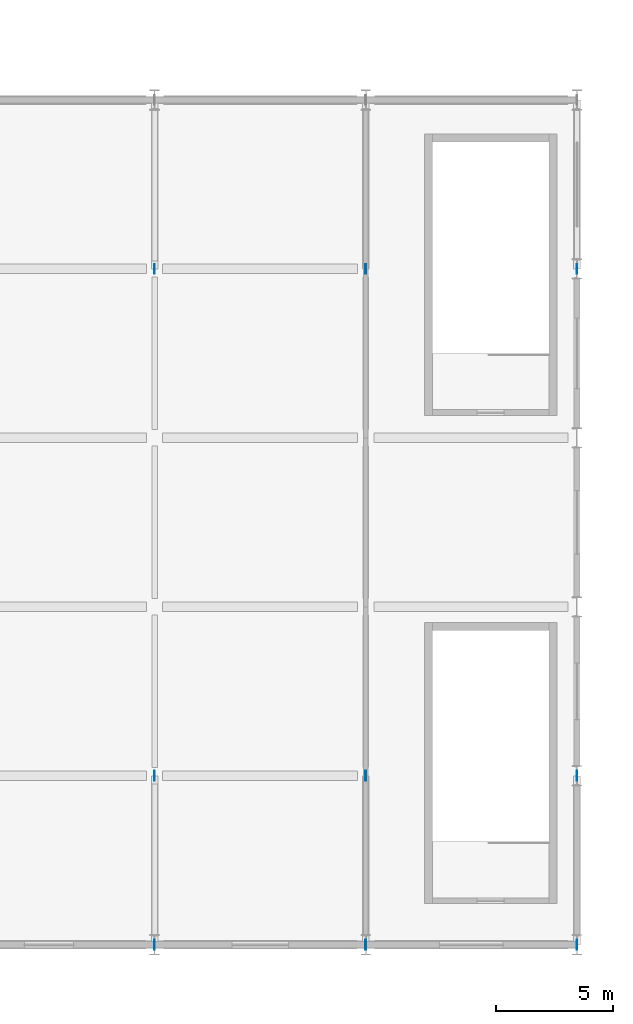
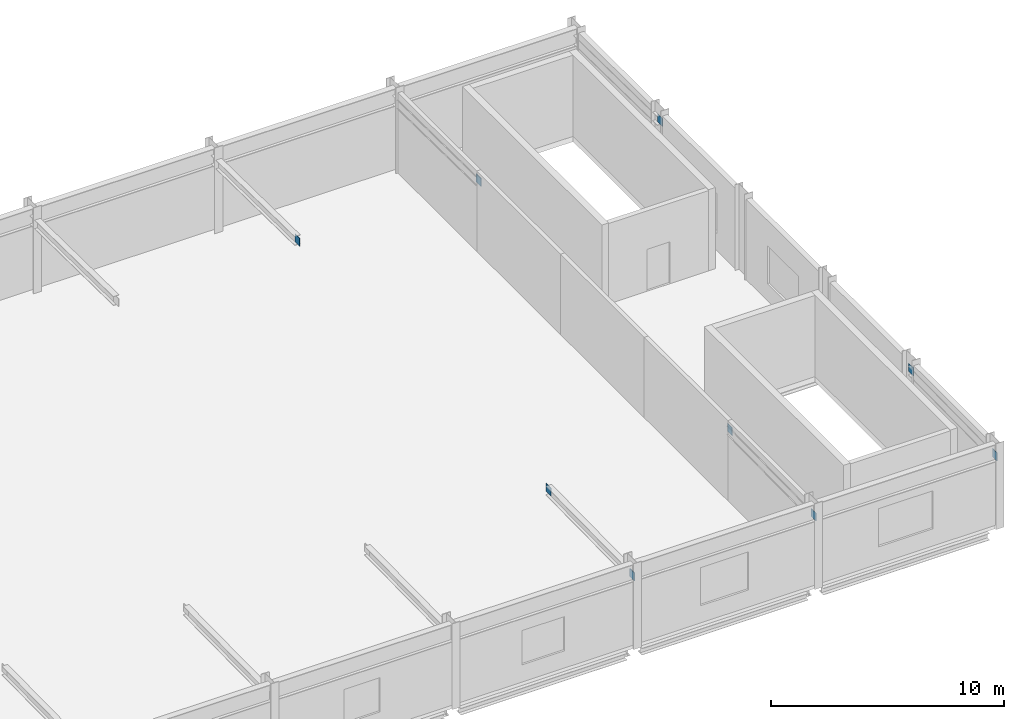
# One storey, part 103 of 151: 9 plates.
"""IFC4 building model written with IfcOpenShell, lengths in metres."""

from ifc_helpers import new_model, si_unit, direction, frame, origin, origin_2d, place, context, subcontext, project, spatial, rectangle, extrude, material, layer, layer_set, type_object, element, save


model = new_model("IFC4")

# Units and contexts
model_context = context("Model", 3, precision=1e-05, world=origin(), true_north=direction((0.0, 1.0)))
body_context = subcontext(model_context, "Body", "Model", "MODEL_VIEW")
ifc_project = project(units=[si_unit("LENGTHUNIT", "METRE"), si_unit("AREAUNIT", "SQUARE_METRE"), si_unit("VOLUMEUNIT", "CUBIC_METRE"), si_unit("PLANEANGLEUNIT", "RADIAN"), si_unit("MASSUNIT", "GRAM", prefix="KILO")], contexts=[model_context])

# Site, building, storey
site_placement = place(None, origin())
site = spatial("IfcSite", under=ifc_project, at=site_placement, CompositionType="ELEMENT")
building_placement = place(site_placement, origin())
building = spatial("IfcBuilding", under=site, at=building_placement, Name="Celestram Park Convention Centre", CompositionType="ELEMENT")
storey_placement = place(building_placement, frame((0.0, 0.0, 10.800048828125)))
storey = spatial("IfcBuildingStorey", under=building, at=storey_placement, Name="L02", CompositionType="ELEMENT", Elevation=10.800048828125)

# Plates
ifc_material = material(Name="Steel ASTM A572 Grade 50", Category="steel")
ifc_layer = layer(ifc_material, 0.02490234375)
ifc_layer_set = layer_set([ifc_layer], Name="Steel ASTM A572 Grade 50")
plate_type = type_object("IfcPlateType", Name="STR-PLT-GP25", PredefinedType="USERDEFINED", material=ifc_layer_set)
for number, where, z_axis, x_axis, name in (
    (1, (198.0, 0.0, 3.39794921875), (0.0, 0.0, 1.0), (0.0, 1.0, 0.0), "V3 truss node gusset plate"),
    (2, (198.0, 7.199951171875, 3.498046875), (0.0, 0.0, 1.0), (0.0, 1.0, 0.0), "V3 truss node gusset plate"),
    (3, (198.0, 28.800048828125, 3.498046875), (0.0, 0.0, 1.0), (0.0, 1.0, 0.0), "V3 truss node gusset plate"),
    (4, (207.0, 0.0, 3.39794921875), (0.0, 0.0, 1.0), (0.0, 1.0, 0.0), "V3 truss node gusset plate"),
    (5, (207.0, 7.199951171875, 3.498046875), (0.0, 0.0, 1.0), (0.0, 1.0, 0.0), "V3 truss node gusset plate"),
    (6, (207.0, 28.800048828125, 3.498046875), (0.0, 0.0, 1.0), (0.0, 1.0, 0.0), "V3 truss node gusset plate"),
    (7, (216.0, 0.0, 3.39794921875), (0.0, 0.0, 1.0), (0.0, 1.0, 0.0), "V3 truss node gusset plate"),
    (8, (216.0, 7.199951171875, 3.498046875), (0.0, 0.0, 1.0), (0.0, 1.0, 0.0), "V3 truss node gusset plate"),
    (9, (216.0, 28.800048828125, 3.498046875), (0.0, 0.0, 1.0), (0.0, 1.0, 0.0), "V3 truss node gusset plate"),
):
    element("IfcPlate", number, at=place(storey_placement, frame(where, z_axis=z_axis, x_axis=x_axis)), inside=storey, type_object=plate_type, Name=name, ObjectType="GUSSET_PLATE", PredefinedType="USERDEFINED", context=body_context, shape_type="SweptSolid", body=[
        extrude(rectangle(XDim=0.419921875, YDim=0.02490234375, at=origin_2d()), origin(), (0.0, 0.0, 1.0), 0.419921875),
    ])

save(model, "model.ifc")
